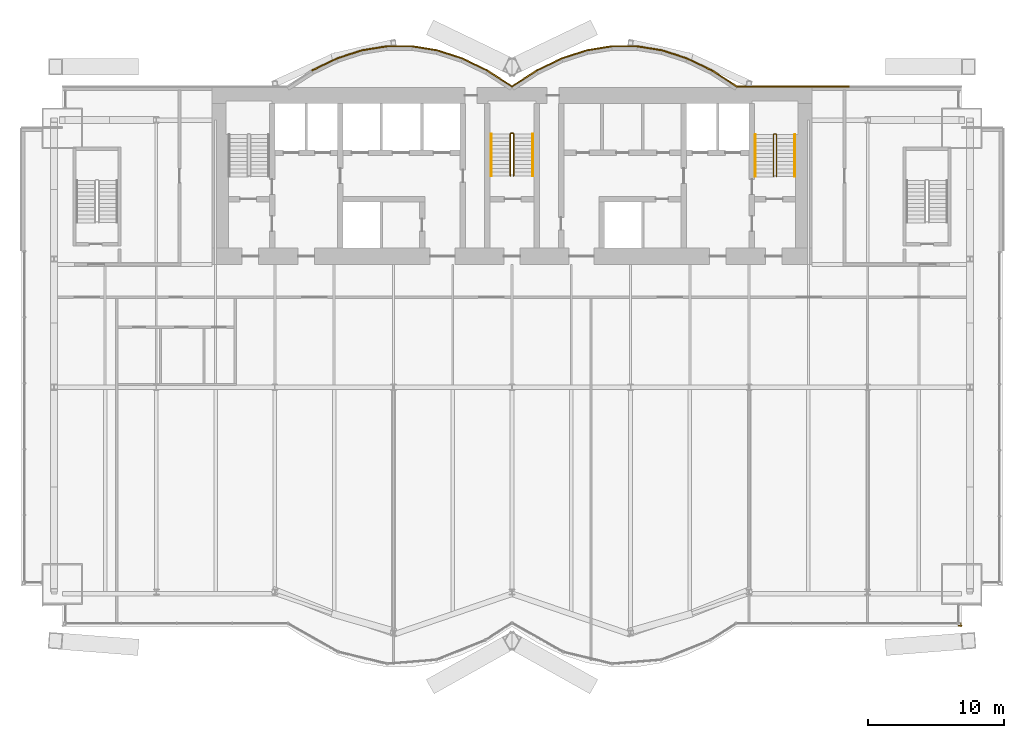
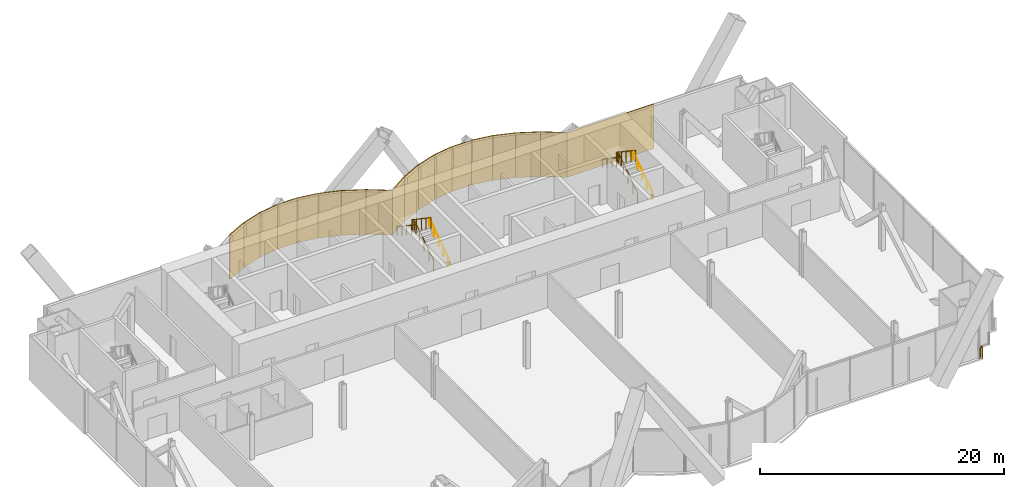
# One storey, part 20 of 21: 18 coverings, 7 railings.
"""IFC4 building model written with IfcOpenShell, lengths in metres."""

from ifc_helpers import new_model, si_unit, direction, frame, origin, origin_2d, place, context, subcontext, project, spatial, rectangle, circle, extrude, material, layer, layer_set, type_object, element, save


model = new_model("IFC4")

# Units and contexts
model_context = context("Model", 3, precision=1e-05, world=origin(), true_north=direction((0.0, 1.0)))
body_context = subcontext(model_context, "Body", "Model", "MODEL_VIEW")
ifc_project = project(units=[si_unit("LENGTHUNIT", "METRE"), si_unit("AREAUNIT", "SQUARE_METRE"), si_unit("VOLUMEUNIT", "CUBIC_METRE"), si_unit("PLANEANGLEUNIT", "RADIAN"), si_unit("MASSUNIT", "GRAM", prefix="KILO")], contexts=[model_context])

# Site, building, storey
site_placement = place(None, origin())
site = spatial("IfcSite", under=ifc_project, at=site_placement, CompositionType="ELEMENT")
building_placement = place(site_placement, origin())
building = spatial("IfcBuilding", under=site, at=building_placement, Name="Bicima Exchange Tower", CompositionType="ELEMENT")
storey_placement = place(building_placement, frame((0.0, 0.0, 80.0)))
storey = spatial("IfcBuildingStorey", under=building, at=storey_placement, Name="L16", CompositionType="ELEMENT", Elevation=80.0)

# Coverings
ifc_material_1 = material(Name="Bronze metal cladding")
ifc_layer_1 = layer(ifc_material_1, 0.004)
ifc_material_2 = material(Name="Ventilated cavity")
ifc_layer_2 = layer(ifc_material_2, 0.06)
ifc_material_3 = material(Name="Galvanised steel rail and mineral wool", Category="steel")
ifc_layer_3 = layer(ifc_material_3, 0.036)
ifc_layer_set = layer_set([ifc_layer_1, ifc_layer_2, ifc_layer_3], Name="Ventilated cavity")
covering_type = type_object("IfcCoveringType", Name="Bronze metal cladding panel 100", PredefinedType="CLADDING", material=ifc_layer_set)
covering_1_placement = place(storey_placement, frame((20.625, 0.050048828125, -0.14990234375), z_axis=(0.0, 0.0, 1.0), x_axis=(-1.0, 0.0, 0.0)))
element("IfcCovering", 1, at=covering_1_placement, inside=storey, type_object=covering_type, Name="Bronze cladding L16 1.2", PredefinedType="CLADDING", context=body_context, shape_type="SweptSolid", body=[
    extrude(rectangle(XDim=8.25, YDim=0.10009765625, at=origin_2d()), origin(), (0.0, 0.0, 1.0), 4.449951171875),
])
covering_2_placement = place(storey_placement, frame((15.610595703125, 0.634521484375, -0.14990234375), z_axis=(0.0, 0.0, 1.0), x_axis=(-0.839790466384, 0.542910648791, 0.0)))
element("IfcCovering", 2, at=covering_2_placement, inside=storey, type_object=covering_type, Name="Bronze cladding L16 2.1", PredefinedType="CLADDING", context=body_context, shape_type="SweptSolid", body=[
    extrude(rectangle(XDim=2.18310546875, YDim=0.10009765625, at=origin_2d()), origin(), (0.0, 0.0, 1.0), 4.449951171875),
])
covering_3_placement = place(storey_placement, frame((13.771728515625, 1.674560546875, -0.14990234375), z_axis=(0.0, 0.0, 1.0), x_axis=(-0.899818346812, 0.436264762204, 0.0)))
element("IfcCovering", 3, at=covering_3_placement, inside=storey, type_object=covering_type, Name="Bronze cladding L16 3.1", PredefinedType="CLADDING", context=body_context, shape_type="SweptSolid", body=[
    extrude(rectangle(XDim=2.03759765625, YDim=0.10009765625, at=origin_2d()), origin(), (0.0, 0.0, 1.0), 4.449951171875),
])
covering_4_placement = place(storey_placement, frame((11.931884765625, 2.41796875, -0.14990234375), z_axis=(0.0, 0.0, 1.0), x_axis=(-0.951524642381, 0.307572519808, 0.0)))
element("IfcCovering", 4, at=covering_4_placement, inside=storey, type_object=covering_type, Name="Bronze cladding L16 4.1", PredefinedType="CLADDING", context=body_context, shape_type="SweptSolid", body=[
    extrude(rectangle(XDim=1.9267578125, YDim=0.10009765625, at=origin_2d()), origin(), (0.0, 0.0, 1.0), 4.449951171875),
])
covering_5_placement = place(storey_placement, frame((10.09130859375, 2.8642578125, -0.14990234375), z_axis=(0.0, 0.0, 1.0), x_axis=(-0.987189786347, 0.159550386184, 0.0)))
element("IfcCovering", 5, at=covering_5_placement, inside=storey, type_object=covering_type, Name="Bronze cladding L16 5.1", PredefinedType="CLADDING", context=body_context, shape_type="SweptSolid", body=[
    extrude(rectangle(XDim=1.857177734375, YDim=0.10009765625, at=origin_2d()), origin(), (0.0, 0.0, 1.0), 4.449951171875),
])
covering_6_placement = place(storey_placement, frame((8.25, 3.012939453125, -0.14990234375), z_axis=(0.0, 0.0, 1.0), x_axis=(-1.0, 0.0, 0.0)))
element("IfcCovering", 6, at=covering_6_placement, inside=storey, type_object=covering_type, Name="Bronze cladding L16 6.1", PredefinedType="CLADDING", context=body_context, shape_type="SweptSolid", body=[
    extrude(rectangle(XDim=1.83349609375, YDim=0.10009765625, at=origin_2d()), origin(), (0.0, 0.0, 1.0), 4.449951171875),
])
covering_7_placement = place(storey_placement, frame((6.40869140625, 2.8642578125, -0.14990234375), z_axis=(0.0, 0.0, 1.0), x_axis=(-0.987189786347, -0.159550386184, 0.0)))
element("IfcCovering", 7, at=covering_7_placement, inside=storey, type_object=covering_type, Name="Bronze cladding L16 7.1", PredefinedType="CLADDING", context=body_context, shape_type="SweptSolid", body=[
    extrude(rectangle(XDim=1.857177734375, YDim=0.10009765625, at=origin_2d()), origin(), (0.0, 0.0, 1.0), 4.449951171875),
])
covering_8_placement = place(storey_placement, frame((4.568115234375, 2.41796875, -0.14990234375), z_axis=(0.0, 0.0, 1.0), x_axis=(-0.951524642381, -0.307572519808, 0.0)))
element("IfcCovering", 8, at=covering_8_placement, inside=storey, type_object=covering_type, Name="Bronze cladding L16 8.1", PredefinedType="CLADDING", context=body_context, shape_type="SweptSolid", body=[
    extrude(rectangle(XDim=1.9267578125, YDim=0.10009765625, at=origin_2d()), origin(), (0.0, 0.0, 1.0), 4.449951171875),
])
covering_9_placement = place(storey_placement, frame((2.728271484375, 1.674560546875, -0.14990234375), z_axis=(0.0, 0.0, 1.0), x_axis=(-0.899818346812, -0.436264762204, 0.0)))
element("IfcCovering", 9, at=covering_9_placement, inside=storey, type_object=covering_type, Name="Bronze cladding L16 9.1", PredefinedType="CLADDING", context=body_context, shape_type="SweptSolid", body=[
    extrude(rectangle(XDim=2.03759765625, YDim=0.10009765625, at=origin_2d()), origin(), (0.0, 0.0, 1.0), 4.449951171875),
])
for number, where, z_axis, x_axis, name in (
    (10, (0.889404296875, 0.634521484375, -0.14990234375), (0.0, 0.0, 1.0), (-0.839790466384, -0.542910648791, 0.0), "Bronze cladding L16 10.1"),
    (11, (-0.889404296875, 0.634521484375, -0.14990234375), (0.0, 0.0, 1.0), (-0.839790466384, 0.542910648791, 0.0), "Bronze cladding L16 11.1"),
):
    element("IfcCovering", number, at=place(storey_placement, frame(where, z_axis=z_axis, x_axis=x_axis)), inside=storey, type_object=covering_type, Name=name, PredefinedType="CLADDING", context=body_context, shape_type="SweptSolid", body=[
        extrude(rectangle(XDim=2.18310546875, YDim=0.10009765625, at=origin_2d()), origin(), (0.0, 0.0, 1.0), 4.449951171875),
    ])
covering_10_placement = place(storey_placement, frame((-2.728271484375, 1.674560546875, -0.14990234375), z_axis=(0.0, 0.0, 1.0), x_axis=(-0.899818346812, 0.436264762204, 0.0)))
element("IfcCovering", 12, at=covering_10_placement, inside=storey, type_object=covering_type, Name="Bronze cladding L16 12.1", PredefinedType="CLADDING", context=body_context, shape_type="SweptSolid", body=[
    extrude(rectangle(XDim=2.03759765625, YDim=0.10009765625, at=origin_2d()), origin(), (0.0, 0.0, 1.0), 4.449951171875),
])
covering_11_placement = place(storey_placement, frame((-4.568115234375, 2.41796875, -0.14990234375), z_axis=(0.0, 0.0, 1.0), x_axis=(-0.951524642381, 0.307572519808, 0.0)))
element("IfcCovering", 13, at=covering_11_placement, inside=storey, type_object=covering_type, Name="Bronze cladding L16 13.1", PredefinedType="CLADDING", context=body_context, shape_type="SweptSolid", body=[
    extrude(rectangle(XDim=1.9267578125, YDim=0.10009765625, at=origin_2d()), origin(), (0.0, 0.0, 1.0), 4.449951171875),
])
covering_12_placement = place(storey_placement, frame((-6.40869140625, 2.8642578125, -0.14990234375), z_axis=(0.0, 0.0, 1.0), x_axis=(-0.987189786347, 0.159550386184, 0.0)))
element("IfcCovering", 14, at=covering_12_placement, inside=storey, type_object=covering_type, Name="Bronze cladding L16 14.1", PredefinedType="CLADDING", context=body_context, shape_type="SweptSolid", body=[
    extrude(rectangle(XDim=1.857177734375, YDim=0.10009765625, at=origin_2d()), origin(), (0.0, 0.0, 1.0), 4.449951171875),
])
covering_13_placement = place(storey_placement, frame((-8.25, 3.012939453125, -0.14990234375), z_axis=(0.0, 0.0, 1.0), x_axis=(-1.0, 0.0, 0.0)))
element("IfcCovering", 15, at=covering_13_placement, inside=storey, type_object=covering_type, Name="Bronze cladding L16 15.1", PredefinedType="CLADDING", context=body_context, shape_type="SweptSolid", body=[
    extrude(rectangle(XDim=1.83349609375, YDim=0.10009765625, at=origin_2d()), origin(), (0.0, 0.0, 1.0), 4.449951171875),
])
covering_14_placement = place(storey_placement, frame((-10.09130859375, 2.8642578125, -0.14990234375), z_axis=(0.0, 0.0, 1.0), x_axis=(-0.987189786347, -0.159550386184, 0.0)))
element("IfcCovering", 16, at=covering_14_placement, inside=storey, type_object=covering_type, Name="Bronze cladding L16 16.1", PredefinedType="CLADDING", context=body_context, shape_type="SweptSolid", body=[
    extrude(rectangle(XDim=1.857177734375, YDim=0.10009765625, at=origin_2d()), origin(), (0.0, 0.0, 1.0), 4.449951171875),
])
covering_15_placement = place(storey_placement, frame((-11.931884765625, 2.41796875, -0.14990234375), z_axis=(0.0, 0.0, 1.0), x_axis=(-0.951524642381, -0.307572519808, 0.0)))
element("IfcCovering", 17, at=covering_15_placement, inside=storey, type_object=covering_type, Name="Bronze cladding L16 17.1", PredefinedType="CLADDING", context=body_context, shape_type="SweptSolid", body=[
    extrude(rectangle(XDim=1.9267578125, YDim=0.10009765625, at=origin_2d()), origin(), (0.0, 0.0, 1.0), 4.449951171875),
])
covering_16_placement = place(storey_placement, frame((-13.771728515625, 1.674560546875, -0.14990234375), z_axis=(0.0, 0.0, 1.0), x_axis=(-0.899818346812, -0.436264762204, 0.0)))
element("IfcCovering", 18, at=covering_16_placement, inside=storey, type_object=covering_type, Name="Bronze cladding L16 18.1", PredefinedType="CLADDING", context=body_context, shape_type="SweptSolid", body=[
    extrude(rectangle(XDim=2.03759765625, YDim=0.10009765625, at=origin_2d()), origin(), (0.0, 0.0, 1.0), 4.449951171875),
])

# Railings
ifc_material_4 = material(Name="Stainless steel and bonded safety glass", Category="steel")
railing_type_1 = type_object("IfcRailingType", Name="Edge guard 1100", PredefinedType="GUARDRAIL", material=ifc_material_4)
railing_1_placement = place(storey_placement, frame((32.949951171875, -39.31005859375, 0.0)))
element("IfcRailing", 19, at=railing_1_placement, inside=storey, type_object=railing_type_1, Name="Edge guard L16 78", PredefinedType="GUARDRAIL", context=body_context, shape_type="SweptSolid", body=[
    extrude(circle(Radius=0.02392578125, at=origin_2d()), frame((0.0, 0.0, 1.076171875), z_axis=(0.0, -1.0, 0.0), x_axis=(1.0, 0.0, 0.0)), (0.0, 0.0, 1.0), 0.25),
    extrude(circle(Radius=0.02392578125, at=origin_2d()), frame((0.0, -0.25, 1.076171875), z_axis=(0.707106781187, 0.707106781187, 0.0), x_axis=(-0.707106781187, 0.707106781187, 0.0)), (0.0, 0.0, 1.0), 0.07080078125),
    extrude(circle(Radius=0.02392578125, at=origin_2d()), frame((0.050048828125, -0.199951171875, 1.076171875), z_axis=(-1.0, 0.0, 0.0), x_axis=(0.0, -1.0, 0.0)), (0.0, 0.0, 1.0), 0.25),
    extrude(circle(Radius=0.02099609375, at=origin_2d()), origin(), (0.0, 0.0, 1.0), 1.052001953125),
    extrude(circle(Radius=0.02099609375, at=origin_2d()), frame((0.0, -0.25, 0.0)), (0.0, 0.0, 1.0), 1.052001953125),
    extrude(circle(Radius=0.02099609375, at=origin_2d()), frame((0.050048828125, -0.199951171875, 0.0)), (0.0, 0.0, 1.0), 1.052001953125),
    extrude(circle(Radius=0.02099609375, at=origin_2d()), frame((-0.199951171875, -0.199951171875, 0.0)), (0.0, 0.0, 1.0), 1.052001953125),
])
ifc_material_5 = material(Name="Stainless steel", Category="steel")
railing_type_2 = type_object("IfcRailingType", Name="Stair guard 1100", PredefinedType="GUARDRAIL", material=ifc_material_5)
railing_2_placement = place(storey_placement, frame((0.125, -6.5, 0.1875)))
element("IfcRailing", 20, at=railing_2_placement, inside=storey, type_object=railing_type_2, Name="L16 ST-C stair guard 1", PredefinedType="GUARDRAIL", context=body_context, shape_type="SweptSolid", body=[
    extrude(circle(Radius=0.02392578125, at=origin_2d()), frame((0.0, 0.0, 1.076171875), z_axis=(0.0, 0.830913701846, 0.55640131208), x_axis=(-1.0, 0.0, 0.0)), (0.0, 0.0, 1.0), 3.706787109375),
    extrude(circle(Radius=0.02392578125, at=origin_2d()), frame((0.0, 3.080078125, 3.138671875), z_axis=(-0.708833529934, 0.705375805398, 0.0), x_axis=(-0.705375805398, -0.708833529934, 0.0)), (0.0, 0.0, 1.0), 0.070556640625),
    extrude(circle(Radius=0.02392578125, at=origin_2d()), frame((-0.050048828125, 3.1298828125, 3.138671875), z_axis=(-1.0, 0.0, 0.0), x_axis=(0.0, -1.0, 0.0)), (0.0, 0.0, 1.0), 0.14990234375),
    extrude(circle(Radius=0.02392578125, at=origin_2d()), frame((-0.199951171875, 3.1298828125, 3.138671875), z_axis=(-0.249802250048, -0.248583702486, 0.935844527007), x_axis=(0.705375805398, -0.708833529934, 0.0)), (0.0, 0.0, 1.0), 0.200439453125),
    extrude(circle(Radius=0.02392578125, at=origin_2d()), frame((-0.25, 3.080078125, 3.326171875), z_axis=(0.0, -0.830913701846, 0.55640131208), x_axis=(1.0, 0.0, 0.0)), (0.0, 0.0, 1.0), 3.706787109375),
    extrude(circle(Radius=0.02099609375, at=origin_2d()), origin(), (0.0, 0.0, 1.0), 1.052001953125),
    extrude(circle(Radius=0.02099609375, at=origin_2d()), frame((0.0, 0.77001953125, 0.515625)), (0.0, 0.0, 1.0), 1.052001953125),
    extrude(circle(Radius=0.02099609375, at=origin_2d()), frame((0.0, 1.5400390625, 1.03125)), (0.0, 0.0, 1.0), 1.052001953125),
    extrude(circle(Radius=0.02099609375, at=origin_2d()), frame((0.0, 2.31005859375, 1.546875)), (0.0, 0.0, 1.0), 1.052001953125),
    extrude(circle(Radius=0.02099609375, at=origin_2d()), frame((0.0, 3.080078125, 2.0625)), (0.0, 0.0, 1.0), 1.052001953125),
    extrude(circle(Radius=0.02099609375, at=origin_2d()), frame((-0.050048828125, 3.1298828125, 2.0625)), (0.0, 0.0, 1.0), 1.052001953125),
    extrude(circle(Radius=0.02099609375, at=origin_2d()), frame((-0.199951171875, 3.1298828125, 2.0625)), (0.0, 0.0, 1.0), 1.052001953125),
    extrude(circle(Radius=0.02099609375, at=origin_2d()), frame((-0.25, 3.080078125, 2.25)), (0.0, 0.0, 1.0), 1.052001953125),
    extrude(circle(Radius=0.02099609375, at=origin_2d()), frame((-0.25, 2.31005859375, 2.765625)), (0.0, 0.0, 1.0), 1.052001953125),
    extrude(circle(Radius=0.02099609375, at=origin_2d()), frame((-0.25, 1.5400390625, 3.28125)), (0.0, 0.0, 1.0), 1.052001953125),
    extrude(circle(Radius=0.02099609375, at=origin_2d()), frame((-0.25, 0.77001953125, 3.796875)), (0.0, 0.0, 1.0), 1.052001953125),
    extrude(circle(Radius=0.02099609375, at=origin_2d()), frame((-0.25, 0.0, 4.3125)), (0.0, 0.0, 1.0), 1.052001953125),
])
railing_3_placement = place(storey_placement, frame((19.39990234375, -6.550048828125, 0.1875)))
element("IfcRailing", 21, at=railing_3_placement, inside=storey, type_object=railing_type_2, Name="L16 ST-E stair guard 1", PredefinedType="GUARDRAIL", context=body_context, shape_type="SweptSolid", body=[
    extrude(circle(Radius=0.02392578125, at=origin_2d()), frame((0.0, 0.0, 1.076171875), z_axis=(0.0, 0.830913701846, 0.55640131208), x_axis=(-1.0, 0.0, 0.0)), (0.0, 0.0, 1.0), 3.706787109375),
    extrude(circle(Radius=0.02392578125, at=origin_2d()), frame((0.0, 3.080078125, 3.138671875), z_axis=(-0.705375805398, 0.708833529934, 0.0), x_axis=(-0.708833529934, -0.705375805398, 0.0)), (0.0, 0.0, 1.0), 0.070556640625),
    extrude(circle(Radius=0.02392578125, at=origin_2d()), frame((-0.0498046875, 3.130126953125, 3.138671875), z_axis=(-1.0, 0.0, 0.0), x_axis=(0.0, -1.0, 0.0)), (0.0, 0.0, 1.0), 0.10009765625),
    extrude(circle(Radius=0.02392578125, at=origin_2d()), frame((-0.14990234375, 3.130126953125, 3.138671875), z_axis=(-0.249726431254, -0.249726431254, 0.935560483917), x_axis=(0.707106781187, -0.707106781187, 0.0)), (0.0, 0.0, 1.0), 0.200439453125),
    extrude(circle(Radius=0.02392578125, at=origin_2d()), frame((-0.199951171875, 3.080078125, 3.326171875), z_axis=(0.0, -0.830913701846, 0.55640131208), x_axis=(1.0, 0.0, 0.0)), (0.0, 0.0, 1.0), 3.706787109375),
    extrude(circle(Radius=0.02099609375, at=origin_2d()), origin(), (0.0, 0.0, 1.0), 1.052001953125),
    extrude(circle(Radius=0.02099609375, at=origin_2d()), frame((0.0, 0.77001953125, 0.515625)), (0.0, 0.0, 1.0), 1.052001953125),
    extrude(circle(Radius=0.02099609375, at=origin_2d()), frame((0.0, 1.5400390625, 1.03125)), (0.0, 0.0, 1.0), 1.052001953125),
    extrude(circle(Radius=0.02099609375, at=origin_2d()), frame((0.0, 2.31005859375, 1.546875)), (0.0, 0.0, 1.0), 1.052001953125),
    extrude(circle(Radius=0.02099609375, at=origin_2d()), frame((0.0, 3.080078125, 2.0625)), (0.0, 0.0, 1.0), 1.052001953125),
    extrude(circle(Radius=0.02099609375, at=origin_2d()), frame((-0.0498046875, 3.130126953125, 2.0625)), (0.0, 0.0, 1.0), 1.052001953125),
    extrude(circle(Radius=0.02099609375, at=origin_2d()), frame((-0.14990234375, 3.130126953125, 2.0625)), (0.0, 0.0, 1.0), 1.052001953125),
    extrude(circle(Radius=0.02099609375, at=origin_2d()), frame((-0.199951171875, 3.080078125, 2.25)), (0.0, 0.0, 1.0), 1.052001953125),
    extrude(circle(Radius=0.02099609375, at=origin_2d()), frame((-0.199951171875, 2.31005859375, 2.765625)), (0.0, 0.0, 1.0), 1.052001953125),
    extrude(circle(Radius=0.02099609375, at=origin_2d()), frame((-0.199951171875, 1.5400390625, 3.28125)), (0.0, 0.0, 1.0), 1.052001953125),
    extrude(circle(Radius=0.02099609375, at=origin_2d()), frame((-0.199951171875, 0.77001953125, 3.796875)), (0.0, 0.0, 1.0), 1.052001953125),
    extrude(circle(Radius=0.02099609375, at=origin_2d()), frame((-0.199951171875, 0.0, 4.3125)), (0.0, 0.0, 1.0), 1.052001953125),
])
railing_type_3 = type_object("IfcRailingType", Name="Stair handrail 900", PredefinedType="HANDRAIL", material=ifc_material_5)
railing_4_placement = place(storey_placement, frame((1.52490234375, -6.5, 0.1875)))
element("IfcRailing", 22, at=railing_4_placement, inside=storey, type_object=railing_type_3, Name="L16 ST-C stair handrail 1", PredefinedType="HANDRAIL", context=body_context, shape_type="SweptSolid", body=[
    extrude(circle(Radius=0.02392578125, at=origin_2d()), frame((0.0, 0.0, 0.8759765625), z_axis=(0.0, 0.830913701846, 0.55640131208), x_axis=(-1.0, 0.0, 0.0)), (0.0, 0.0, 1.0), 3.706787109375),
    extrude(circle(Radius=0.02099609375, at=origin_2d()), origin(), (0.0, 0.0, 1.0), 0.851806640625),
    extrude(circle(Radius=0.02099609375, at=origin_2d()), frame((0.0, 0.77001953125, 0.515625)), (0.0, 0.0, 1.0), 0.851806640625),
    extrude(circle(Radius=0.02099609375, at=origin_2d()), frame((0.0, 1.5400390625, 1.03125)), (0.0, 0.0, 1.0), 0.851806640625),
    extrude(circle(Radius=0.02099609375, at=origin_2d()), frame((0.0, 2.31005859375, 1.546875)), (0.0, 0.0, 1.0), 0.851806640625),
    extrude(circle(Radius=0.02099609375, at=origin_2d()), frame((0.0, 3.080078125, 2.0625)), (0.0, 0.0, 1.0), 0.851806640625),
])
railing_5_placement = place(storey_placement, frame((-1.52490234375, -3.419921875, 2.4375)))
element("IfcRailing", 23, at=railing_5_placement, inside=storey, type_object=railing_type_3, Name="L16 ST-C stair handrail 2", PredefinedType="HANDRAIL", context=body_context, shape_type="SweptSolid", body=[
    extrude(circle(Radius=0.02392578125, at=origin_2d()), frame((0.0, 0.0, 0.8759765625), z_axis=(0.0, -0.830913701846, 0.55640131208), x_axis=(1.0, 0.0, 0.0)), (0.0, 0.0, 1.0), 3.706787109375),
    extrude(circle(Radius=0.02099609375, at=origin_2d()), origin(), (0.0, 0.0, 1.0), 0.851806640625),
    extrude(circle(Radius=0.02099609375, at=origin_2d()), frame((0.0, -0.77001953125, 0.515625)), (0.0, 0.0, 1.0), 0.851806640625),
    extrude(circle(Radius=0.02099609375, at=origin_2d()), frame((0.0, -1.5400390625, 1.03125)), (0.0, 0.0, 1.0), 0.851806640625),
    extrude(circle(Radius=0.02099609375, at=origin_2d()), frame((0.0, -2.31005859375, 1.546875)), (0.0, 0.0, 1.0), 0.851806640625),
    extrude(circle(Radius=0.02099609375, at=origin_2d()), frame((0.0, -3.080078125, 2.0625)), (0.0, 0.0, 1.0), 0.851806640625),
])
railing_6_placement = place(storey_placement, frame((20.75, -6.550048828125, 0.1875)))
element("IfcRailing", 24, at=railing_6_placement, inside=storey, type_object=railing_type_3, Name="L16 ST-E stair handrail 1", PredefinedType="HANDRAIL", context=body_context, shape_type="SweptSolid", body=[
    extrude(circle(Radius=0.02392578125, at=origin_2d()), frame((0.0, 0.0, 0.8759765625), z_axis=(0.0, 0.830913701846, 0.55640131208), x_axis=(-1.0, 0.0, 0.0)), (0.0, 0.0, 1.0), 3.706787109375),
    extrude(circle(Radius=0.02099609375, at=origin_2d()), origin(), (0.0, 0.0, 1.0), 0.851806640625),
    extrude(circle(Radius=0.02099609375, at=origin_2d()), frame((0.0, 0.77001953125, 0.515625)), (0.0, 0.0, 1.0), 0.851806640625),
    extrude(circle(Radius=0.02099609375, at=origin_2d()), frame((0.0, 1.5400390625, 1.03125)), (0.0, 0.0, 1.0), 0.851806640625),
    extrude(circle(Radius=0.02099609375, at=origin_2d()), frame((0.0, 2.31005859375, 1.546875)), (0.0, 0.0, 1.0), 0.851806640625),
    extrude(circle(Radius=0.02099609375, at=origin_2d()), frame((0.0, 3.080078125, 2.0625)), (0.0, 0.0, 1.0), 0.851806640625),
])
railing_7_placement = place(storey_placement, frame((17.85009765625, -3.469970703125, 2.4375)))
element("IfcRailing", 25, at=railing_7_placement, inside=storey, type_object=railing_type_3, Name="L16 ST-E stair handrail 2", PredefinedType="HANDRAIL", context=body_context, shape_type="SweptSolid", body=[
    extrude(circle(Radius=0.02392578125, at=origin_2d()), frame((0.0, 0.0, 0.8759765625), z_axis=(0.0, -0.830913701846, 0.55640131208), x_axis=(1.0, 0.0, 0.0)), (0.0, 0.0, 1.0), 3.706787109375),
    extrude(circle(Radius=0.02099609375, at=origin_2d()), origin(), (0.0, 0.0, 1.0), 0.851806640625),
    extrude(circle(Radius=0.02099609375, at=origin_2d()), frame((0.0, -0.77001953125, 0.515625)), (0.0, 0.0, 1.0), 0.851806640625),
    extrude(circle(Radius=0.02099609375, at=origin_2d()), frame((0.0, -1.5400390625, 1.03125)), (0.0, 0.0, 1.0), 0.851806640625),
    extrude(circle(Radius=0.02099609375, at=origin_2d()), frame((0.0, -2.31005859375, 1.546875)), (0.0, 0.0, 1.0), 0.851806640625),
    extrude(circle(Radius=0.02099609375, at=origin_2d()), frame((0.0, -3.080078125, 2.0625)), (0.0, 0.0, 1.0), 0.851806640625),
])

save(model, "model.ifc")
